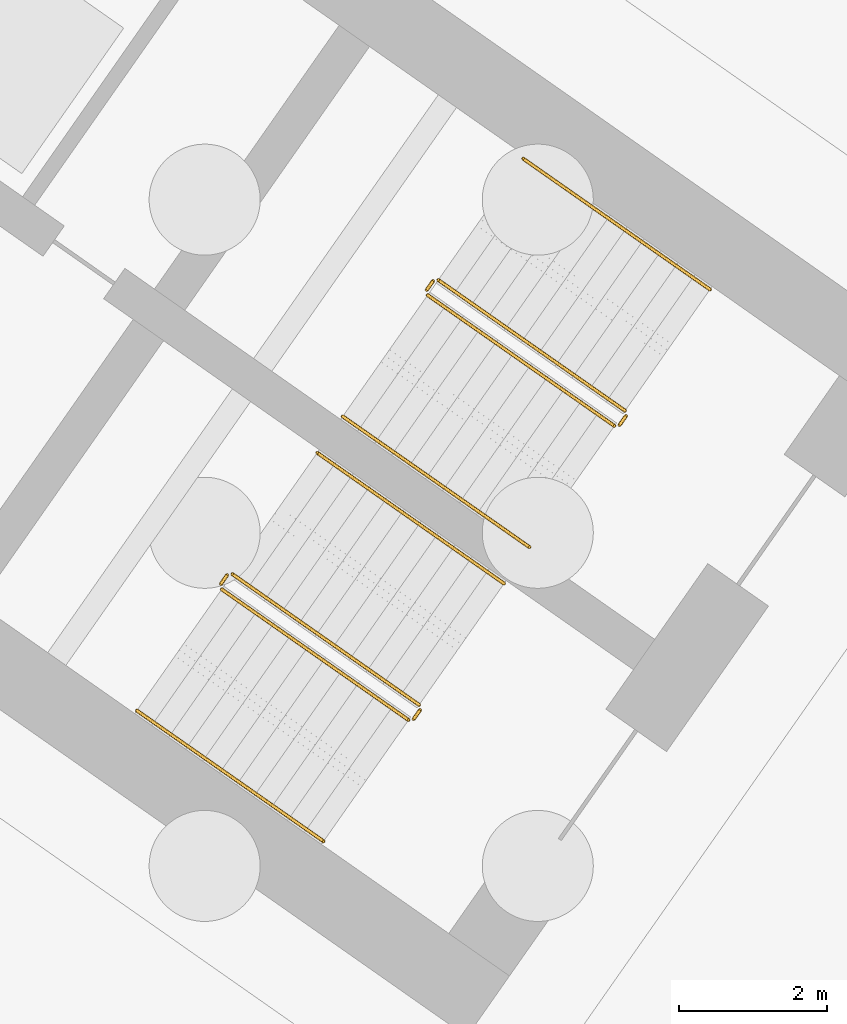
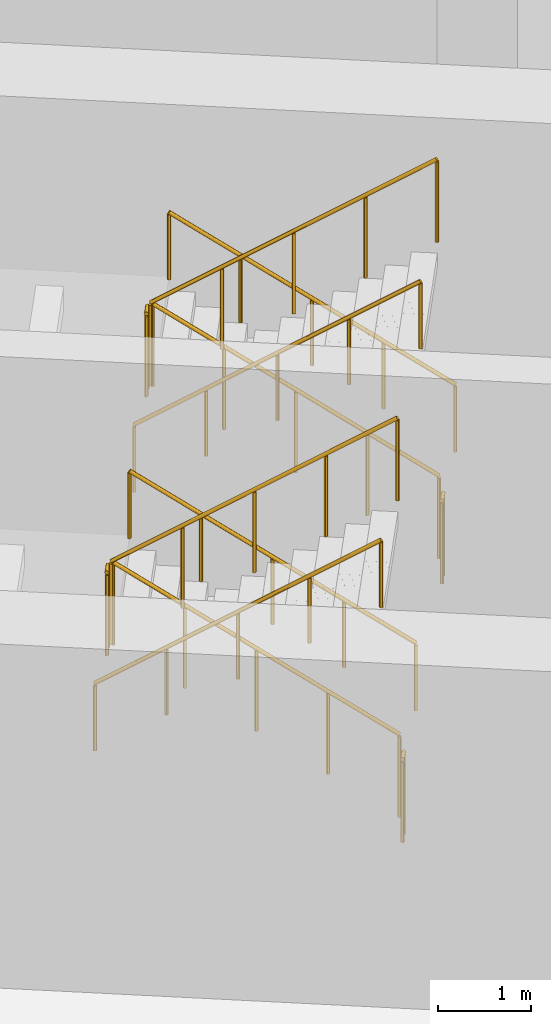
# One storey, part 12 of 13: 12 railings.
"""IFC4 building model written with IfcOpenShell, lengths in metres."""

from ifc_helpers import new_model, si_unit, direction, frame, origin, origin_2d, place, context, subcontext, project, spatial, circle, extrude, material, type_object, element, save


model = new_model("IFC4")

# Units and contexts
model_context = context("Model", 3, precision=1e-05, world=origin(), true_north=direction((0.0, 1.0)))
body_context = subcontext(model_context, "Body", "Model", "MODEL_VIEW")
ifc_project = project(units=[si_unit("LENGTHUNIT", "METRE"), si_unit("AREAUNIT", "SQUARE_METRE"), si_unit("VOLUMEUNIT", "CUBIC_METRE"), si_unit("PLANEANGLEUNIT", "RADIAN"), si_unit("MASSUNIT", "GRAM", prefix="KILO")], contexts=[model_context])

# Site, building, storey
site_placement = place(None, origin())
site = spatial("IfcSite", under=ifc_project, at=site_placement, CompositionType="ELEMENT")
building_placement = place(site_placement, origin())
building = spatial("IfcBuilding", under=site, at=building_placement, Name="Tel Ilan Convention Tower", CompositionType="ELEMENT")
storey_placement = place(building_placement, frame((0.0, 0.0, -9.0)))
storey = spatial("IfcBuildingStorey", under=building, at=storey_placement, Name="B2", CompositionType="ELEMENT", Elevation=-9.0)

# Railings
ifc_material_1 = material(Name="Stainless Steel Grade 316", Category="steel")
railing_type_1 = type_object("IfcRailingType", Name="Stainless Steel Stair Guard 1100 mm", PredefinedType="GUARDRAIL", material=ifc_material_1)
railing_1_placement = place(storey_placement, frame((23.6787109375, -7.8515625, 0.1875)))
element("IfcRailing", 1, at=railing_1_placement, inside=storey, type_object=railing_type_1, Name="B2 S3 stair guard 1", PredefinedType="GUARDRAIL", context=body_context, shape_type="SweptSolid", body=[
    extrude(circle(Radius=0.02392578125, at=origin_2d()), frame((0.0, 0.0, 1.076171875), z_axis=(-0.680634867305, 0.476589307124, 0.556416040158), x_axis=(-0.573579377721, -0.819149984711, 0.0)), (0.0, 0.0, 1.0), 3.706787109375),
    extrude(circle(Radius=0.02099609375, at=origin_2d()), origin(), (0.0, 0.0, 1.0), 1.052001953125),
    extrude(circle(Radius=0.02099609375, at=origin_2d()), frame((-0.630859375, 0.441650390625, 0.515625)), (0.0, 0.0, 1.0), 1.052001953125),
    extrude(circle(Radius=0.02099609375, at=origin_2d()), frame((-1.261474609375, 0.88330078125, 1.03125)), (0.0, 0.0, 1.0), 1.052001953125),
    extrude(circle(Radius=0.02099609375, at=origin_2d()), frame((-1.89208984375, 1.324951171875, 1.546875)), (0.0, 0.0, 1.0), 1.052001953125),
    extrude(circle(Radius=0.02099609375, at=origin_2d()), frame((-2.52294921875, 1.7666015625, 2.0625)), (0.0, 0.0, 1.0), 1.052001953125),
])
railing_2_placement = place(storey_placement, frame((21.086181640625, -6.09716796875, 2.25)))
element("IfcRailing", 2, at=railing_2_placement, inside=storey, type_object=railing_type_1, Name="B2 S3 stair guard 2", PredefinedType="GUARDRAIL", context=body_context, shape_type="SweptSolid", body=[
    extrude(circle(Radius=0.02392578125, at=origin_2d()), frame((0.0, 0.0, 1.076171875), z_axis=(-0.573353020881, -0.819308436089, 0.0), x_axis=(0.819308436089, -0.573353020881, 0.0)), (0.0, 0.0, 1.0), 0.14990234375),
    extrude(circle(Radius=0.02099609375, at=origin_2d()), origin(), (0.0, 0.0, 1.0), 1.052001953125),
    extrude(circle(Radius=0.02099609375, at=origin_2d()), frame((-0.0859375, -0.122802734375, 0.0)), (0.0, 0.0, 1.0), 1.052001953125),
])
railing_3_placement = place(storey_placement, frame((21.012451171875, -6.289794921875, 2.4375)))
element("IfcRailing", 3, at=railing_3_placement, inside=storey, type_object=railing_type_1, Name="B2 S3 stair guard 3", PredefinedType="GUARDRAIL", context=body_context, shape_type="SweptSolid", body=[
    extrude(circle(Radius=0.02392578125, at=origin_2d()), frame((0.0, 0.0, 1.076171875), z_axis=(0.680634867305, -0.476589307124, 0.556416040158), x_axis=(0.573579377721, 0.819149984711, 0.0)), (0.0, 0.0, 1.0), 3.706787109375),
    extrude(circle(Radius=0.02099609375, at=origin_2d()), origin(), (0.0, 0.0, 1.0), 1.052001953125),
    extrude(circle(Radius=0.02099609375, at=origin_2d()), frame((0.630859375, -0.441650390625, 0.515625)), (0.0, 0.0, 1.0), 1.052001953125),
    extrude(circle(Radius=0.02099609375, at=origin_2d()), frame((1.261474609375, -0.88330078125, 1.03125)), (0.0, 0.0, 1.0), 1.052001953125),
    extrude(circle(Radius=0.02099609375, at=origin_2d()), frame((1.89208984375, -1.324951171875, 1.546875)), (0.0, 0.0, 1.0), 1.052001953125),
    extrude(circle(Radius=0.02099609375, at=origin_2d()), frame((2.52294921875, -1.7666015625, 2.0625)), (0.0, 0.0, 1.0), 1.052001953125),
])
railing_4_placement = place(storey_placement, frame((23.691162109375, -7.921142578125, 0.0)))
element("IfcRailing", 4, at=railing_4_placement, inside=storey, type_object=railing_type_1, Name="B2 S3 stair guard 4", PredefinedType="GUARDRAIL", context=body_context, shape_type="SweptSolid", body=[
    extrude(circle(Radius=0.02392578125, at=origin_2d()), frame((0.0, 0.0, 1.076171875), z_axis=(-0.574444878118, -0.818543268254, 0.0), x_axis=(0.818543268254, -0.574444878118, 0.0)), (0.0, 0.0, 1.0), 0.150146484375),
    extrude(circle(Radius=0.02099609375, at=origin_2d()), origin(), (0.0, 0.0, 1.0), 1.052001953125),
    extrude(circle(Radius=0.02099609375, at=origin_2d()), frame((-0.086181640625, -0.122802734375, 0.0)), (0.0, 0.0, 1.0), 1.052001953125),
])
railing_5_placement = place(storey_placement, frame((20.89697265625, -11.824462890625, 0.1875)))
element("IfcRailing", 5, at=railing_5_placement, inside=storey, type_object=railing_type_1, Name="B2 S4 stair guard 1", PredefinedType="GUARDRAIL", context=body_context, shape_type="SweptSolid", body=[
    extrude(circle(Radius=0.02392578125, at=origin_2d()), frame((0.0, 0.0, 1.076171875), z_axis=(-0.680634867305, 0.476589307124, 0.556416040158), x_axis=(-0.573579377721, -0.819149984711, 0.0)), (0.0, 0.0, 1.0), 3.706787109375),
    extrude(circle(Radius=0.02099609375, at=origin_2d()), origin(), (0.0, 0.0, 1.0), 1.052001953125),
    extrude(circle(Radius=0.02099609375, at=origin_2d()), frame((-0.630859375, 0.441650390625, 0.515625)), (0.0, 0.0, 1.0), 1.052001953125),
    extrude(circle(Radius=0.02099609375, at=origin_2d()), frame((-1.261474609375, 0.88330078125, 1.03125)), (0.0, 0.0, 1.0), 1.052001953125),
    extrude(circle(Radius=0.02099609375, at=origin_2d()), frame((-1.89208984375, 1.324951171875, 1.546875)), (0.0, 0.0, 1.0), 1.052001953125),
    extrude(circle(Radius=0.02099609375, at=origin_2d()), frame((-2.52294921875, 1.7666015625, 2.0625)), (0.0, 0.0, 1.0), 1.052001953125),
])
railing_6_placement = place(storey_placement, frame((18.304443359375, -10.070068359375, 2.25)))
element("IfcRailing", 6, at=railing_6_placement, inside=storey, type_object=railing_type_1, Name="B2 S4 stair guard 2", PredefinedType="GUARDRAIL", context=body_context, shape_type="SweptSolid", body=[
    extrude(circle(Radius=0.02392578125, at=origin_2d()), frame((0.0, 0.0, 1.076171875), z_axis=(-0.574444878118, -0.818543268254, 0.0), x_axis=(0.818543268254, -0.574444878118, 0.0)), (0.0, 0.0, 1.0), 0.150146484375),
    extrude(circle(Radius=0.02099609375, at=origin_2d()), origin(), (0.0, 0.0, 1.0), 1.052001953125),
    extrude(circle(Radius=0.02099609375, at=origin_2d()), frame((-0.086181640625, -0.122802734375, 0.0)), (0.0, 0.0, 1.0), 1.052001953125),
])
railing_7_placement = place(storey_placement, frame((18.23046875, -10.2626953125, 2.4375)))
element("IfcRailing", 7, at=railing_7_placement, inside=storey, type_object=railing_type_1, Name="B2 S4 stair guard 3", PredefinedType="GUARDRAIL", context=body_context, shape_type="SweptSolid", body=[
    extrude(circle(Radius=0.02392578125, at=origin_2d()), frame((0.0, 0.0, 1.076171875), z_axis=(0.680670216326, -0.476567942461, 0.556391097003), x_axis=(0.573542135923, 0.819176060637, 0.0)), (0.0, 0.0, 1.0), 3.70703125),
    extrude(circle(Radius=0.02099609375, at=origin_2d()), origin(), (0.0, 0.0, 1.0), 1.052001953125),
    extrude(circle(Radius=0.02099609375, at=origin_2d()), frame((0.630859375, -0.441650390625, 0.515625)), (0.0, 0.0, 1.0), 1.052001953125),
    extrude(circle(Radius=0.02099609375, at=origin_2d()), frame((1.26171875, -0.88330078125, 1.03125)), (0.0, 0.0, 1.0), 1.052001953125),
    extrude(circle(Radius=0.02099609375, at=origin_2d()), frame((1.892333984375, -1.324951171875, 1.546875)), (0.0, 0.0, 1.0), 1.052001953125),
    extrude(circle(Radius=0.02099609375, at=origin_2d()), frame((2.523193359375, -1.7666015625, 2.0625)), (0.0, 0.0, 1.0), 1.052001953125),
])
railing_8_placement = place(storey_placement, frame((20.9091796875, -11.89404296875, 0.0)))
element("IfcRailing", 8, at=railing_8_placement, inside=storey, type_object=railing_type_1, Name="B2 S4 stair guard 4", PredefinedType="GUARDRAIL", context=body_context, shape_type="SweptSolid", body=[
    extrude(circle(Radius=0.02392578125, at=origin_2d()), frame((0.0, 0.0, 1.076171875), z_axis=(-0.573353020881, -0.819308436089, 0.0), x_axis=(0.819308436089, -0.573353020881, 0.0)), (0.0, 0.0, 1.0), 0.14990234375),
    extrude(circle(Radius=0.02099609375, at=origin_2d()), origin(), (0.0, 0.0, 1.0), 1.052001953125),
    extrude(circle(Radius=0.02099609375, at=origin_2d()), frame((-0.0859375, -0.122802734375, 0.0)), (0.0, 0.0, 1.0), 1.052001953125),
])
ifc_material_2 = material(Name="Stainless Steel Grade 316", Category="steel")
railing_type_2 = type_object("IfcRailingType", Name="Stainless Steel Stair Handrail 900 mm", PredefinedType="HANDRAIL", material=ifc_material_2)
railing_9_placement = place(storey_placement, frame((24.825927734375, -6.213134765625, 0.1875)))
element("IfcRailing", 9, at=railing_9_placement, inside=storey, type_object=railing_type_2, Name="B2 S3 stair handrail 1", PredefinedType="HANDRAIL", context=body_context, shape_type="SweptSolid", body=[
    extrude(circle(Radius=0.02392578125, at=origin_2d()), frame((0.0, 0.0, 0.8759765625), z_axis=(-0.680634867305, 0.476589307124, 0.556416040158), x_axis=(-0.573579377721, -0.819149984711, 0.0)), (0.0, 0.0, 1.0), 3.706787109375),
    extrude(circle(Radius=0.02099609375, at=origin_2d()), origin(), (0.0, 0.0, 1.0), 0.851806640625),
    extrude(circle(Radius=0.02099609375, at=origin_2d()), frame((-0.630859375, 0.441650390625, 0.515625)), (0.0, 0.0, 1.0), 0.851806640625),
    extrude(circle(Radius=0.02099609375, at=origin_2d()), frame((-1.261474609375, 0.88330078125, 1.03125)), (0.0, 0.0, 1.0), 0.851806640625),
    extrude(circle(Radius=0.02099609375, at=origin_2d()), frame((-1.89208984375, 1.324951171875, 1.546875)), (0.0, 0.0, 1.0), 0.851806640625),
    extrude(circle(Radius=0.02099609375, at=origin_2d()), frame((-2.52294921875, 1.7666015625, 2.0625)), (0.0, 0.0, 1.0), 0.851806640625),
])
railing_10_placement = place(storey_placement, frame((19.865234375, -7.927978515625, 2.4375)))
element("IfcRailing", 10, at=railing_10_placement, inside=storey, type_object=railing_type_2, Name="B2 S3 stair handrail 2", PredefinedType="HANDRAIL", context=body_context, shape_type="SweptSolid", body=[
    extrude(circle(Radius=0.02392578125, at=origin_2d()), frame((0.0, 0.0, 0.8759765625), z_axis=(0.680634867305, -0.476589307124, 0.556416040158), x_axis=(0.573579377721, 0.819149984711, 0.0)), (0.0, 0.0, 1.0), 3.706787109375),
    extrude(circle(Radius=0.02099609375, at=origin_2d()), origin(), (0.0, 0.0, 1.0), 0.851806640625),
    extrude(circle(Radius=0.02099609375, at=origin_2d()), frame((0.630859375, -0.441650390625, 0.515625)), (0.0, 0.0, 1.0), 0.851806640625),
    extrude(circle(Radius=0.02099609375, at=origin_2d()), frame((1.261474609375, -0.88330078125, 1.03125)), (0.0, 0.0, 1.0), 0.851806640625),
    extrude(circle(Radius=0.02099609375, at=origin_2d()), frame((1.89208984375, -1.324951171875, 1.546875)), (0.0, 0.0, 1.0), 0.851806640625),
    extrude(circle(Radius=0.02099609375, at=origin_2d()), frame((2.52294921875, -1.7666015625, 2.0625)), (0.0, 0.0, 1.0), 0.851806640625),
])
railing_11_placement = place(storey_placement, frame((22.044189453125, -10.18603515625, 0.1875)))
element("IfcRailing", 11, at=railing_11_placement, inside=storey, type_object=railing_type_2, Name="B2 S4 stair handrail 1", PredefinedType="HANDRAIL", context=body_context, shape_type="SweptSolid", body=[
    extrude(circle(Radius=0.02392578125, at=origin_2d()), frame((0.0, 0.0, 0.8759765625), z_axis=(-0.680634867305, 0.476589307124, 0.556416040158), x_axis=(-0.573579377721, -0.819149984711, 0.0)), (0.0, 0.0, 1.0), 3.706787109375),
    extrude(circle(Radius=0.02099609375, at=origin_2d()), origin(), (0.0, 0.0, 1.0), 0.851806640625),
    extrude(circle(Radius=0.02099609375, at=origin_2d()), frame((-0.630859375, 0.441650390625, 0.515625)), (0.0, 0.0, 1.0), 0.851806640625),
    extrude(circle(Radius=0.02099609375, at=origin_2d()), frame((-1.261474609375, 0.88330078125, 1.03125)), (0.0, 0.0, 1.0), 0.851806640625),
    extrude(circle(Radius=0.02099609375, at=origin_2d()), frame((-1.89208984375, 1.324951171875, 1.546875)), (0.0, 0.0, 1.0), 0.851806640625),
    extrude(circle(Radius=0.02099609375, at=origin_2d()), frame((-2.52294921875, 1.7666015625, 2.0625)), (0.0, 0.0, 1.0), 0.851806640625),
])
railing_12_placement = place(storey_placement, frame((17.08349609375, -11.90087890625, 2.4375)))
element("IfcRailing", 12, at=railing_12_placement, inside=storey, type_object=railing_type_2, Name="B2 S4 stair handrail 2", PredefinedType="HANDRAIL", context=body_context, shape_type="SweptSolid", body=[
    extrude(circle(Radius=0.02392578125, at=origin_2d()), frame((0.0, 0.0, 0.8759765625), z_axis=(0.680634867305, -0.476589307124, 0.556416040158), x_axis=(0.573579377721, 0.819149984711, 0.0)), (0.0, 0.0, 1.0), 3.706787109375),
    extrude(circle(Radius=0.02099609375, at=origin_2d()), origin(), (0.0, 0.0, 1.0), 0.851806640625),
    extrude(circle(Radius=0.02099609375, at=origin_2d()), frame((0.630859375, -0.441650390625, 0.515625)), (0.0, 0.0, 1.0), 0.851806640625),
    extrude(circle(Radius=0.02099609375, at=origin_2d()), frame((1.261474609375, -0.88330078125, 1.03125)), (0.0, 0.0, 1.0), 0.851806640625),
    extrude(circle(Radius=0.02099609375, at=origin_2d()), frame((1.89208984375, -1.324951171875, 1.546875)), (0.0, 0.0, 1.0), 0.851806640625),
    extrude(circle(Radius=0.02099609375, at=origin_2d()), frame((2.52294921875, -1.7666015625, 2.0625)), (0.0, 0.0, 1.0), 0.851806640625),
])

save(model, "model.ifc")
